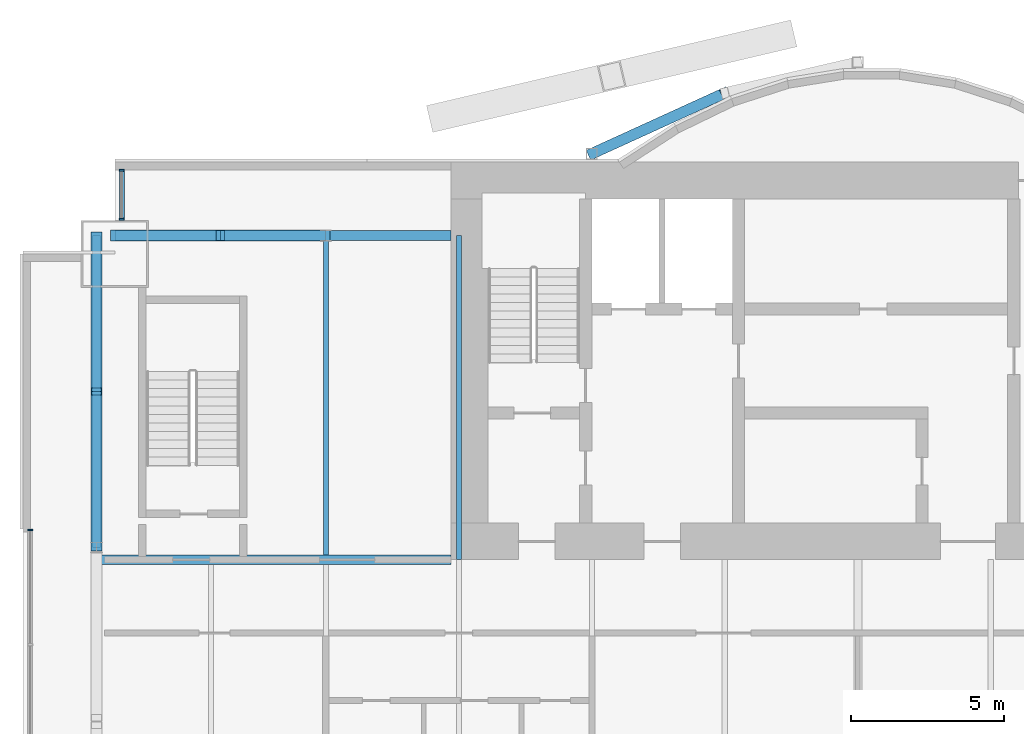
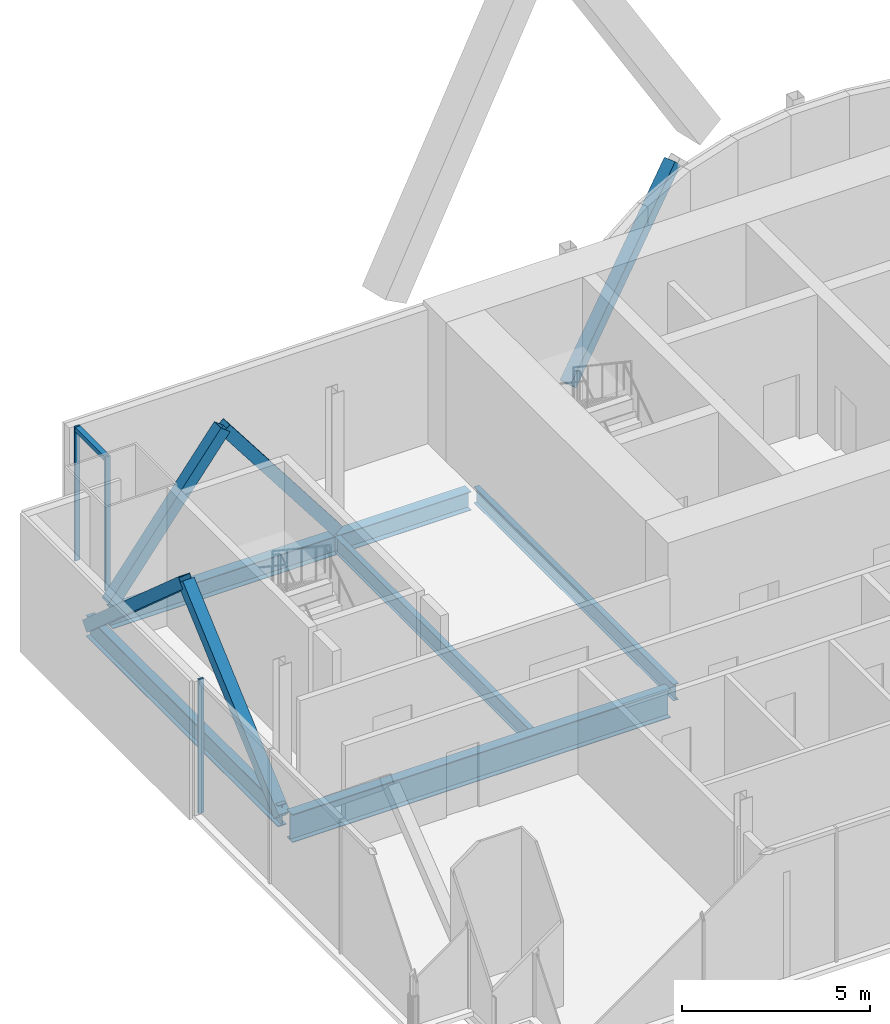
# One storey, part 8 of 20: 9 members, 6 beams, 2 elements without a shape of their own.
"""IFC4 building model written with IfcOpenShell, lengths in metres."""

from ifc_helpers import new_model, si_unit, direction, frame, origin, origin_2d, place, context, subcontext, project, spatial, rectangle, hollow_rectangle, i_section, extrude, material, material_profile, profile_set, type_object, element, aggregate, save


model = new_model("IFC4")

# Units and contexts
model_context = context("Model", 3, precision=1e-05, world=origin(), true_north=direction((0.0, 1.0)))
body_context = subcontext(model_context, "Body", "Model", "MODEL_VIEW")
ifc_project = project(units=[si_unit("LENGTHUNIT", "METRE"), si_unit("AREAUNIT", "SQUARE_METRE"), si_unit("VOLUMEUNIT", "CUBIC_METRE"), si_unit("PLANEANGLEUNIT", "RADIAN"), si_unit("MASSUNIT", "GRAM", prefix="KILO")], contexts=[model_context])

# Site, building, storey
site_placement = place(None, origin())
site = spatial("IfcSite", under=ifc_project, at=site_placement, CompositionType="ELEMENT")
building_placement = place(site_placement, origin())
building = spatial("IfcBuilding", under=site, at=building_placement, Name="Bicima Exchange Tower", CompositionType="ELEMENT")
storey_placement = place(building_placement, frame((0.0, 0.0, 306.5)))
storey = spatial("IfcBuildingStorey", under=building, at=storey_placement, Name="L69", CompositionType="ELEMENT", Elevation=306.5)

# Beam
ifc_material_1 = material(Name="Steel ASTM A992 Gr 50", Category="steel")
ifc_material_profile_1 = material_profile(ifc_material_1, i_section(OverallWidth=0.3046875, OverallDepth=0.911865234375, WebThickness=0.015869140625, FlangeThickness=0.02392578125, at=origin_2d()))
ifc_profile_set_1 = profile_set([ifc_material_profile_1], Name="Steel ASTM A992 Gr 50")
beam_type_1 = type_object("IfcBeamType", Name="Core-line girder W36x150", PredefinedType="BEAM", material=ifc_profile_set_1)
beam_1_placement = place(storey_placement, frame((-22.0, -13.0, -0.60595703125), z_axis=(-1.0, 0.0, 0.0), x_axis=(0.0, -1.0, 0.0)))
element("IfcBeam", 1, at=beam_1_placement, inside=storey, type_object=beam_type_1, Name="Core-line girder", PredefinedType="BEAM", context=body_context, shape_type="SweptSolid", body=[
    extrude(i_section(OverallWidth=0.3046875, OverallDepth=0.911865234375, WebThickness=0.015869140625, FlangeThickness=0.02392578125, at=origin_2d()), origin(), (0.0, 0.0, 1.0), 11.60009765625),
])

# Curtain wall, member
ifc_material_2 = material(Name="Anodised bronze aluminium", Category="aluminium")
curtain_wall_type_1 = type_object("IfcCurtainWallType", Name="End face glass wall", PredefinedType="NOTDEFINED", material=ifc_material_2)
curtain_wall_1_placement = place(storey_placement, origin())
curtain_wall_1 = element("IfcCurtainWall", 2, at=curtain_wall_1_placement, inside=storey, type_object=curtain_wall_type_1, Name="End face glass wall L69 run 2", PredefinedType="NOTDEFINED")
ifc_material_profile_2 = material_profile(ifc_material_2, rectangle(XDim=0.159912109375, YDim=0.06005859375, at=origin_2d()))
ifc_profile_set_2 = profile_set([ifc_material_profile_2], Name="Anodised bronze aluminium")
member_type_1 = type_object("IfcMemberType", Name="End face glass wall mullion 60 x 160", PredefinedType="MULLION", material=ifc_profile_set_2)
member_1_placement = place(storey_placement, frame((-35.77001953125, -12.030029296875, 0.0), z_axis=(0.0, 0.0, 1.0), x_axis=(1.0, 0.0, 0.0)))
member_1 = element("IfcMember", 3, at=member_1_placement, type_object=member_type_1, Name="End face glass wall mullion 1", PredefinedType="MULLION", context=body_context, shape_type="SweptSolid", body=[
    extrude(rectangle(XDim=0.159912109375, YDim=0.06005859375, at=origin_2d()), origin(), (0.0, 0.0, 1.0), 4.35009765625),
])
aggregate(curtain_wall_1, [member_1])

# Beams
ifc_material_profile_3 = material_profile(ifc_material_1, i_section(OverallWidth=0.256591796875, OverallDepth=0.693359375, WebThickness=0.014404296875, FlangeThickness=0.023681640625, at=origin_2d()))
ifc_profile_set_3 = profile_set([ifc_material_profile_3], Name="Steel ASTM A992 Gr 50")
beam_type_2 = type_object("IfcBeamType", Name="End girder W27x114", PredefinedType="BEAM", material=ifc_profile_set_3)
beam_2_placement = place(storey_placement, frame((-33.60009765625, -2.39990234375, -0.49658203125), z_axis=(0.0, -1.0, 0.0), x_axis=(1.0, 0.0, 0.0)))
element("IfcBeam", 4, at=beam_2_placement, inside=storey, type_object=beam_type_2, Name="End girder", PredefinedType="BEAM", context=body_context, shape_type="SweptSolid", body=[
    extrude(i_section(OverallWidth=0.256591796875, OverallDepth=0.693359375, WebThickness=0.014404296875, FlangeThickness=0.023681640625, at=origin_2d()), origin(), (0.0, 0.0, 1.0), 10.2001953125),
])
ifc_material_profile_4 = material_profile(ifc_material_1, i_section(OverallWidth=0.165771484375, OverallDepth=0.5283203125, WebThickness=0.009765625, FlangeThickness=0.013671875, at=origin_2d()))
ifc_profile_set_4 = profile_set([ifc_material_profile_4], Name="Steel ASTM A992 Gr 50")
beam_type_3 = type_object("IfcBeamType", Name="Floor beam W21x50", PredefinedType="JOIST", material=ifc_profile_set_4)
beam_3_placement = place(storey_placement, frame((-26.10009765625, -2.5625, -0.414306640625), z_axis=(0.0, -1.0, 0.0), x_axis=(1.0, 0.0, 0.0)))
element("IfcBeam", 5, at=beam_3_placement, inside=storey, type_object=beam_type_3, Name="Floor beam", PredefinedType="JOIST", context=body_context, shape_type="SweptSolid", body=[
    extrude(i_section(OverallWidth=0.165771484375, OverallDepth=0.5283203125, WebThickness=0.009765625, FlangeThickness=0.013671875, at=origin_2d()), origin(), (0.0, 0.0, 1.0), 10.28515625),
])
beam_4_placement = place(storey_placement, frame((-21.75, -2.39990234375, -0.414306640625), z_axis=(0.0, -1.0, 0.0), x_axis=(1.0, 0.0, 0.0)))
element("IfcBeam", 6, at=beam_4_placement, inside=storey, type_object=beam_type_3, Name="Floor beam", PredefinedType="JOIST", context=body_context, shape_type="SweptSolid", body=[
    extrude(i_section(OverallWidth=0.165771484375, OverallDepth=0.5283203125, WebThickness=0.009765625, FlangeThickness=0.013671875, at=origin_2d()), origin(), (0.0, 0.0, 1.0), 10.60009765625),
])

# Curtain wall, members
curtain_wall_type_2 = type_object("IfcCurtainWallType", Name="Front glass wall", PredefinedType="NOTDEFINED", material=ifc_material_2)
curtain_wall_2_placement = place(storey_placement, origin())
curtain_wall_2 = element("IfcCurtainWall", 7, at=curtain_wall_2_placement, inside=storey, type_object=curtain_wall_type_2, Name="Front glass wall L69 run 1", PredefinedType="NOTDEFINED")
member_type_2 = type_object("IfcMemberType", Name="Front glass wall mullion 60 x 160", PredefinedType="MULLION", material=ifc_profile_set_2)
member_2_placement = place(storey_placement, frame((-32.77001953125, -0.260009765625, 0.0), z_axis=(0.0, 0.0, 1.0), x_axis=(1.0, 0.0, 0.0)))
member_2 = element("IfcMember", 8, at=member_2_placement, type_object=member_type_2, Name="Front glass wall mullion 1", PredefinedType="MULLION", context=body_context, shape_type="SweptSolid", body=[
    extrude(rectangle(XDim=0.159912109375, YDim=0.06005859375, at=origin_2d()), origin(), (0.0, 0.0, 1.0), 4.35009765625),
])
member_3_placement = place(storey_placement, frame((-32.77001953125, -1.8701171875, 0.0), z_axis=(0.0, 0.0, 1.0), x_axis=(1.0, 0.0, 0.0)))
member_3 = element("IfcMember", 9, at=member_3_placement, type_object=member_type_2, Name="Front glass wall mullion 2", PredefinedType="MULLION", context=body_context, shape_type="SweptSolid", body=[
    extrude(rectangle(XDim=0.159912109375, YDim=0.06005859375, at=origin_2d()), origin(), (0.0, 0.0, 1.0), 4.35009765625),
])
ifc_material_profile_5 = material_profile(ifc_material_2, rectangle(XDim=0.159912109375, YDim=0.139892578125, at=origin_2d()))
ifc_profile_set_5 = profile_set([ifc_material_profile_5], Name="Anodised bronze aluminium")
member_type_3 = type_object("IfcMemberType", Name="Front glass wall transom 140 x 160", PredefinedType="USERDEFINED", material=ifc_profile_set_5)
member_4_placement = place(storey_placement, frame((-32.77001953125, -0.2900390625, 4.280029296875), z_axis=(0.0, -1.0, 0.0), x_axis=(1.0, 0.0, 0.0)))
member_4 = element("IfcMember", 10, at=member_4_placement, type_object=member_type_3, Name="Front glass wall transom 1.1", ObjectType="TRANSOM", PredefinedType="USERDEFINED", context=body_context, shape_type="SweptSolid", body=[
    extrude(rectangle(XDim=0.159912109375, YDim=0.139892578125, at=origin_2d()), origin(), (0.0, 0.0, 1.0), 1.550048828125),
])
aggregate(curtain_wall_2, [member_2, member_3, member_4])

# Members
ifc_material_3 = material(Name="Steel ASTM A572 Gr 50", Category="steel")
ifc_material_profile_6 = material_profile(ifc_material_3, hollow_rectangle(XDim=0.355712890625, YDim=0.355712890625, WallThickness=0.01171875, at=origin_2d()))
ifc_profile_set_6 = profile_set([ifc_material_profile_6], Name="Steel ASTM A572 Gr 50")
member_type_4 = type_object("IfcMemberType", Name="Mega brace HSS14x14x1/2", PredefinedType="BRACE", material=ifc_profile_set_6)
member_5_placement = place(storey_placement, frame((-17.39990234375, 0.278076171875, 0.0), z_axis=(0.662507516739, 0.302231638101, 0.685375683254), x_axis=(-0.415045223819, 0.909800781592, 0.0)))
element("IfcMember", 11, at=member_5_placement, inside=storey, type_object=member_type_4, Name="Mega brace rexo", PredefinedType="BRACE", context=body_context, shape_type="SweptSolid", body=[
    extrude(hollow_rectangle(XDim=0.355712890625, YDim=0.355712890625, WallThickness=0.01171875, at=origin_2d()), origin(), (0.0, 0.0, 1.0), 6.565673828125),
])
for number, where, z_axis, x_axis, name in (
    (12, (-33.0, -2.39990234375, 0.0), (0.608426120198, 0.0, 0.793610519248), (0.0, 1.0, 0.0), "Mega brace rear"),
    (13, (-26.10009765625, -2.39990234375, 0.0), (-0.608426120198, 0.0, 0.793610519248), (0.0, -1.0, 0.0), "Mega brace rear"),
):
    element("IfcMember", number, at=place(storey_placement, frame(where, z_axis=z_axis, x_axis=x_axis)), inside=storey, type_object=member_type_4, Name=name, PredefinedType="BRACE", context=body_context, shape_type="SweptSolid", body=[
        extrude(hollow_rectangle(XDim=0.355712890625, YDim=0.355712890625, WallThickness=0.01171875, at=origin_2d()), origin(), (0.0, 0.0, 1.0), 5.670166015625),
    ])
for number, where, z_axis, x_axis, name in (
    (14, (-33.60009765625, -2.39990234375, -0.49658203125), (0.0, -0.749844140428, 0.661614513948), (1.0, 0.0, 0.0), "Mega brace west end"),
    (15, (-33.60009765625, -12.60009765625, -0.49658203125), (0.0, 0.749844140428, 0.661614513948), (-1.0, 0.0, 0.0), "Mega brace west end"),
):
    element("IfcMember", number, at=place(storey_placement, frame(where, z_axis=z_axis, x_axis=x_axis)), inside=storey, type_object=member_type_4, Name=name, PredefinedType="BRACE", context=body_context, shape_type="SweptSolid", body=[
        extrude(hollow_rectangle(XDim=0.355712890625, YDim=0.355712890625, WallThickness=0.01171875, at=origin_2d()), origin(), (0.0, 0.0, 1.0), 6.801513671875),
    ])

# Beams
ifc_material_profile_7 = material_profile(ifc_material_1, i_section(OverallWidth=0.3251953125, OverallDepth=0.612060546875, WebThickness=0.0126953125, FlangeThickness=0.01904296875, at=origin_2d()))
ifc_profile_set_7 = profile_set([ifc_material_profile_7], Name="Steel ASTM A992 Gr 50")
beam_type_4 = type_object("IfcBeamType", Name="Rear girder W24x104", PredefinedType="BEAM", material=ifc_profile_set_7)
beam_5_placement = place(storey_placement, frame((-22.0, -2.39990234375, -0.4560546875), z_axis=(-1.0, 0.0, 0.0), x_axis=(0.0, -1.0, 0.0)))
element("IfcBeam", 16, at=beam_5_placement, inside=storey, type_object=beam_type_4, Name="Rear girder", PredefinedType="BEAM", context=body_context, shape_type="SweptSolid", body=[
    extrude(i_section(OverallWidth=0.3251953125, OverallDepth=0.612060546875, WebThickness=0.0126953125, FlangeThickness=0.01904296875, at=origin_2d()), origin(), (0.0, 0.0, 1.0), 4.10009765625),
])
beam_6_placement = place(storey_placement, frame((-26.10009765625, -2.39990234375, -0.4560546875), z_axis=(-1.0, 0.0, 0.0), x_axis=(0.0, -1.0, 0.0)))
element("IfcBeam", 17, at=beam_6_placement, inside=storey, type_object=beam_type_4, Name="Rear girder", PredefinedType="BEAM", context=body_context, shape_type="SweptSolid", body=[
    extrude(i_section(OverallWidth=0.3251953125, OverallDepth=0.612060546875, WebThickness=0.0126953125, FlangeThickness=0.01904296875, at=origin_2d()), origin(), (0.0, 0.0, 1.0), 6.89990234375),
])

save(model, "model.ifc")
